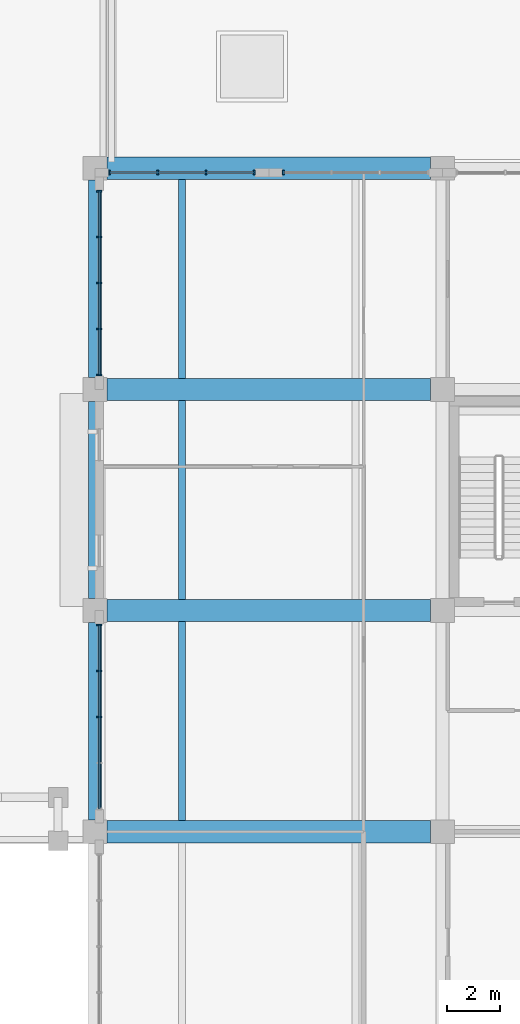
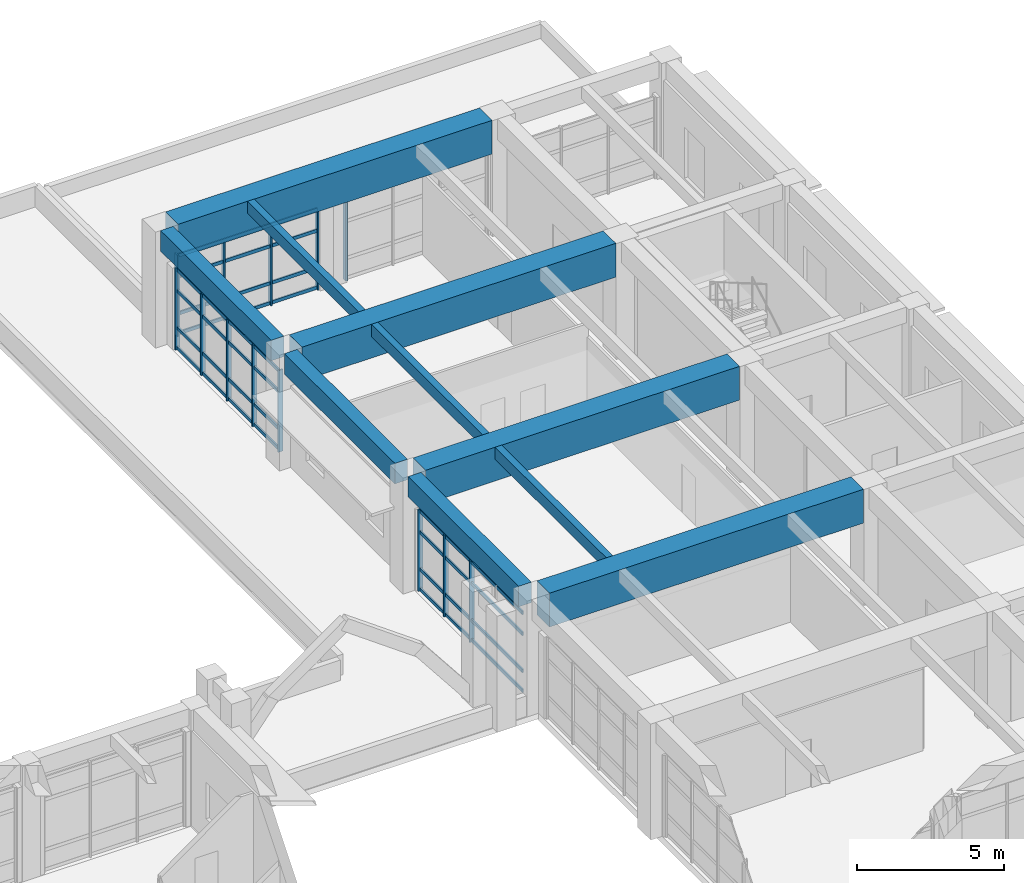
# One storey, part 24 of 75: 25 members, 10 beams, 4 elements without a shape of their own.
"""IFC4 building model written with IfcOpenShell, lengths in metres."""

import ifcopenshell
import ifcopenshell.guid

model = None  # the IFC model being written
_history = None  # IfcOwnerHistory: only IFC2X3 demands one
_inside = {}  # id of a spatial element -> (the spatial element, [elements in it])
_under = {}  # id of a project, library or spatial element -> (it, [spatial elements below it])
_declared = {}  # id of a project -> (the project, [libraries it declares])
_typed = {}  # id of a type object -> (the type object, [elements of that type])
_made_of = {}  # id of a material, layer set ... -> (it, [elements and type objects made of it])


def new_model(schema):
    """Start an empty IFC model of exactly this schema.

    Asked for "IFC4X3", IfcOpenShell would pick the latest addendum, in which some entities
    have other attributes; the version numbers below select the first issue.
    IFC2X3 requires an IfcOwnerHistory on every rooted entity: one is made here for all.
    """
    global model, _history
    if schema == "IFC4X3":
        model = ifcopenshell.file(schema_version=(4, 3, 0, 0))
    else:
        model = ifcopenshell.file(schema=schema)
    _inside.clear()
    _under.clear()
    _declared.clear()
    _typed.clear()
    _made_of.clear()
    _history = None
    if model.schema == "IFC2X3":
        org = make("IfcOrganization", Name="unknown")
        user = make(
            "IfcPersonAndOrganization",
            ThePerson=make("IfcPerson", FamilyName="unknown"),
            TheOrganization=org,
        )
        app = make(
            "IfcApplication",
            ApplicationDeveloper=org,
            Version="unknown",
            ApplicationFullName="unknown",
            ApplicationIdentifier="unknown",
        )
        _history = make(
            "IfcOwnerHistory",
            OwningUser=user,
            OwningApplication=app,
            ChangeAction="ADDED",
            CreationDate=0,
        )
    return model


def make(cls, **values):
    """One entity of the class cls with the attributes given. An attribute that is None is left unset."""
    return model.create_entity(
        cls, **{name: value for name, value in values.items() if value is not None}
    )


def rooted(cls, **values):
    """An entity with a GlobalId (a new one), such as an element, a storey or a relation."""
    return make(cls, GlobalId=ifcopenshell.guid.new(), OwnerHistory=_history, **values)


def si_unit(unit_type, name, prefix=None):
    """IfcSIUnit, for example si_unit("LENGTHUNIT", "METRE", prefix="MILLI")."""
    return make("IfcSIUnit", UnitType=unit_type, Prefix=prefix, Name=name)


def assignment(units):
    """IfcUnitAssignment: the units of a project."""
    return None if units is None else make("IfcUnitAssignment", Units=units)


def point(xyz):
    """IfcCartesianPoint."""
    return None if xyz is None else make("IfcCartesianPoint", Coordinates=xyz)


def direction(xyz):
    """IfcDirection."""
    return None if xyz is None else make("IfcDirection", DirectionRatios=xyz)


def frame(location, z_axis=None, x_axis=None):
    """IfcAxis2Placement3D, a coordinate frame: its origin and axes. An axis left out is left unset."""
    return make(
        "IfcAxis2Placement3D",
        Location=point(location),
        Axis=direction(z_axis),
        RefDirection=direction(x_axis),
    )


def frame_2d(location, x_axis=None):
    """IfcAxis2Placement2D, a coordinate frame in the plane: its origin and x axis."""
    return make(
        "IfcAxis2Placement2D", Location=point(location), RefDirection=direction(x_axis)
    )


def origin():
    """The frame at (0, 0, 0) with its axes left unset."""
    return frame((0.0, 0.0, 0.0))


def origin_2d():
    """The frame at (0, 0) in the plane with its x axis left unset."""
    return frame_2d((0.0, 0.0))


def place(relative_to, where):
    """IfcLocalPlacement: puts the frame where relative to a parent placement (None: the world)."""
    return make(
        "IfcLocalPlacement", PlacementRelTo=relative_to, RelativePlacement=where
    )


def context(
    kind, dimensions, precision=None, world=None, true_north=None, identifier=None
):
    """IfcGeometricRepresentationContext, for example the 3D "Model" context."""
    return make(
        "IfcGeometricRepresentationContext",
        ContextIdentifier=identifier,
        ContextType=kind,
        CoordinateSpaceDimension=dimensions,
        Precision=precision,
        WorldCoordinateSystem=world,
        TrueNorth=true_north,
    )


def subcontext(parent, identifier, kind, view, scale=None):
    """IfcGeometricRepresentationSubContext, for example "Body" below "Model"."""
    return make(
        "IfcGeometricRepresentationSubContext",
        ContextIdentifier=identifier,
        ContextType=kind,
        ParentContext=parent,
        TargetScale=scale,
        TargetView=view,
    )


def project(units=None, contexts=None):
    """IfcProject with its units and contexts."""
    return rooted(
        "IfcProject",
        Name="project",
        RepresentationContexts=contexts,
        UnitsInContext=assignment(units),
    )


def spatial(cls, under=None, at=None, **own):
    """A site, building, storey or space (cls), placed at a placement, below another one or the project."""
    s = rooted(cls, ObjectPlacement=at, **own)
    if under is not None:
        _under.setdefault(under.id(), (under, []))[1].append(s)
    return s


def profile(cls, at=None, kind="AREA", **sizes):
    """A parametric profile (cls). Its sizes go by their IFC names, for example OverallWidth=200.0."""
    return make(cls, ProfileType=kind, Position=at, **sizes)


def rectangle(**sizes):
    """IfcRectangleProfileDef."""
    return profile("IfcRectangleProfileDef", **sizes)


def extrude(swept, where, along, depth):
    """IfcExtrudedAreaSolid: the profile swept, set in the frame where, extruded along a direction by depth."""
    return make(
        "IfcExtrudedAreaSolid",
        SweptArea=swept,
        Position=where,
        ExtrudedDirection=direction(along),
        Depth=depth,
    )


def shape(context_of_items, identifier, shape_type, items):
    """IfcShapeRepresentation: the items that make up one representation, for example the "Body"."""
    return make(
        "IfcShapeRepresentation",
        ContextOfItems=context_of_items,
        RepresentationIdentifier=identifier,
        RepresentationType=shape_type,
        Items=items,
    )


def material(Name=None, Category=None):
    """IfcMaterial."""
    return make("IfcMaterial", Name=Name, Category=Category)


def layer(
    of_material, thickness, ventilated=None, Name=None, Category=None, Priority=None
):
    """IfcMaterialLayer: one layer of a wall or slab, of a material (None: an air gap)."""
    return make(
        "IfcMaterialLayer",
        Material=of_material,
        LayerThickness=thickness,
        IsVentilated=ventilated,
        Name=Name,
        Category=Category,
        Priority=Priority,
    )


def layer_set(layers, Name=None):
    """IfcMaterialLayerSet."""
    return make("IfcMaterialLayerSet", MaterialLayers=layers, LayerSetName=Name)


def material_profile(
    of_material, cross_section, Name=None, Category=None, Priority=None
):
    """IfcMaterialProfile: a cross section and its material."""
    return make(
        "IfcMaterialProfile",
        Name=Name,
        Material=of_material,
        Profile=cross_section,
        Priority=Priority,
        Category=Category,
    )


def profile_set(profiles, Name=None, composite=None):
    """IfcMaterialProfileSet."""
    return make(
        "IfcMaterialProfileSet",
        Name=Name,
        MaterialProfiles=profiles,
        CompositeProfile=composite,
    )


def made_of(thing, what):
    """Note that an element or type object is made of a material, layer set ...; save() writes the relation."""
    if what is not None:
        _made_of.setdefault(what.id(), (what, []))[1].append(thing)
    return thing


def type_object(cls, material=None, **own):
    """A type object (cls), such as IfcWallType, which elements share."""
    return made_of(rooted(cls, **own), material)


def element(
    cls,
    number,
    at=None,
    inside=None,
    cuts=None,
    type_object=None,
    material=None,
    context=None,
    identifier="Body",
    shape_type=None,
    held_by="IfcProductDefinitionShape",
    body=None,
    shapes=None,
    **own,
):
    """One element of the class cls, such as IfcWall. Its Tag is "e" and its number.

    at: its placement. inside: the storey or other place that contains it. cuts: it is an
    opening in that element (IfcRelVoidsElement). A single representation is given by context,
    identifier, shape_type and body (its items); several are given by shapes. held_by: the class
    of the entity that holds the representations. save() writes the other relations.
    """
    e = rooted(cls, Tag="e%d" % number, ObjectPlacement=at, **own)
    if body is not None:
        shapes = [shape(context, identifier, shape_type, body)]
    if shapes is not None:
        e.Representation = make(held_by, Representations=shapes)
    if inside is not None:
        _inside.setdefault(inside.id(), (inside, []))[1].append(e)
    if cuts is not None:
        rooted(
            "IfcRelVoidsElement", RelatingBuildingElement=cuts, RelatedOpeningElement=e
        )
    if type_object is not None:
        _typed.setdefault(type_object.id(), (type_object, []))[1].append(e)
    return made_of(e, material)


def aggregate(whole, parts):
    """IfcRelAggregates: a whole, such as a stair, and the parts it consists of."""
    return rooted("IfcRelAggregates", RelatingObject=whole, RelatedObjects=parts)


def save(model, path):
    """Write the relations noted so far, then the file.

    IfcRelAggregates (storeys below a building ...), IfcRelContainedInSpatialStructure (elements
    in a storey), IfcRelDefinesByType, IfcRelAssociatesMaterial and IfcRelDeclares: one each for
    every whole, place, type object, material and project.
    """
    for whole, parts in _under.values():
        aggregate(whole, parts)
    for where, things in _inside.values():
        rooted(
            "IfcRelContainedInSpatialStructure",
            RelatedElements=things,
            RelatingStructure=where,
        )
    for kind, things in _typed.values():
        rooted("IfcRelDefinesByType", RelatedObjects=things, RelatingType=kind)
    for what, things in _made_of.values():
        rooted("IfcRelAssociatesMaterial", RelatedObjects=things, RelatingMaterial=what)
    for by, libraries in _declared.values():
        rooted("IfcRelDeclares", RelatingContext=by, RelatedDefinitions=libraries)
    model.write(path)


model = new_model("IFC4")

# Units and contexts
model_context = context("Model", 3, precision=1e-05, world=origin(), true_north=direction((0.0, 1.0)))
body_context = subcontext(model_context, "Body", "Model", "MODEL_VIEW")
ifc_project = project(units=[si_unit("LENGTHUNIT", "METRE"), si_unit("AREAUNIT", "SQUARE_METRE"), si_unit("VOLUMEUNIT", "CUBIC_METRE"), si_unit("PLANEANGLEUNIT", "RADIAN"), si_unit("MASSUNIT", "GRAM", prefix="KILO")], contexts=[model_context])

# Site, building, storey
site_placement = place(None, origin())
site = spatial("IfcSite", under=ifc_project, at=site_placement, CompositionType="ELEMENT")
building_placement = place(site_placement, origin())
building = spatial("IfcBuilding", under=site, at=building_placement, Name="Kolvaren Faculty of Natural Sciences", CompositionType="ELEMENT")
storey_placement = place(building_placement, frame((0.0, 0.0, 5.39990234375)))
storey = spatial("IfcBuildingStorey", under=building, at=storey_placement, Name="L01", CompositionType="ELEMENT", Elevation=5.39990234375)

# Curtain wall, members
ifc_material_1 = material(Name="Thermally broken anodised aluminium framing", Category="aluminium")
ifc_layer = layer(ifc_material_1, 0.179931640625)
ifc_layer_set = layer_set([ifc_layer], Name="Thermally broken anodised aluminium framing")
curtain_wall_type = type_object("IfcCurtainWallType", Name="CommonsCurtainWall_CW02", PredefinedType="NOTDEFINED", material=ifc_layer_set)
curtain_wall_1_placement = place(storey_placement, origin())
curtain_wall_1 = element("IfcCurtainWall", 1, at=curtain_wall_1_placement, inside=storey, type_object=curtain_wall_type, Name="L01 unitised curtain wall CW-02 (CW-L01-035)", PredefinedType="NOTDEFINED")
ifc_material_profile_1 = material_profile(ifc_material_1, rectangle(XDim=0.06005859375, YDim=0.179931640625, at=origin_2d()), Name="ALU MUL 60x180")
ifc_profile_set_1 = profile_set([ifc_material_profile_1], Name="Thermally broken anodised aluminium framing")
member_type_1 = type_object("IfcMemberType", Name="CurtainMullion_60x180", PredefinedType="MULLION", material=ifc_profile_set_1)
member_1_placement = place(storey_placement, frame((119.159912109375, 88.56005859375, 0.0), z_axis=(0.0, 0.0, 1.0), x_axis=(0.0, 1.0, 0.0)))
member_1 = element("IfcMember", 2, at=member_1_placement, type_object=member_type_1, Name="CW-L01-035 vertical mullion 3", PredefinedType="MULLION", context=body_context, shape_type="SweptSolid", body=[
    extrude(rectangle(XDim=0.06005859375, YDim=0.179931640625, at=origin_2d()), origin(), (0.0, 0.0, 1.0), 3.385009765625),
])
member_2_placement = place(storey_placement, frame((119.159912109375, 90.304931640625, 0.0), z_axis=(0.0, 0.0, 1.0), x_axis=(0.0, 1.0, 0.0)))
member_2 = element("IfcMember", 3, at=member_2_placement, type_object=member_type_1, Name="CW-L01-035 vertical mullion 4", PredefinedType="MULLION", context=body_context, shape_type="SweptSolid", body=[
    extrude(rectangle(XDim=0.06005859375, YDim=0.179931640625, at=origin_2d()), origin(), (0.0, 0.0, 1.0), 3.385009765625),
])
member_3_placement = place(storey_placement, frame((119.159912109375, 92.050048828125, 0.0), z_axis=(0.0, 0.0, 1.0), x_axis=(0.0, 1.0, 0.0)))
member_3 = element("IfcMember", 4, at=member_3_placement, type_object=member_type_1, Name="CW-L01-035 vertical mullion 5", PredefinedType="MULLION", context=body_context, shape_type="SweptSolid", body=[
    extrude(rectangle(XDim=0.06005859375, YDim=0.179931640625, at=origin_2d()), origin(), (0.0, 0.0, 1.0), 3.385009765625),
])

curtain_wall_2_placement = place(storey_placement, origin())
curtain_wall_2 = element("IfcCurtainWall", 5, at=curtain_wall_2_placement, inside=storey, type_object=curtain_wall_type, Name="L01 unitised curtain wall CW-02 (CW-L01-036)", PredefinedType="NOTDEFINED")
member_4_placement = place(storey_placement, frame((119.159912109375, 101.550048828125, 0.0), z_axis=(0.0, 0.0, 1.0), x_axis=(0.0, 1.0, 0.0)))
member_4 = element("IfcMember", 6, at=member_4_placement, type_object=member_type_1, Name="CW-L01-036 vertical mullion 1", PredefinedType="MULLION", context=body_context, shape_type="SweptSolid", body=[
    extrude(rectangle(XDim=0.06005859375, YDim=0.179931640625, at=origin_2d()), origin(), (0.0, 0.0, 1.0), 3.385009765625),
])
member_5_placement = place(storey_placement, frame((119.159912109375, 103.294921875, 0.0), z_axis=(0.0, 0.0, 1.0), x_axis=(0.0, 1.0, 0.0)))
member_5 = element("IfcMember", 7, at=member_5_placement, type_object=member_type_1, Name="CW-L01-036 vertical mullion 2", PredefinedType="MULLION", context=body_context, shape_type="SweptSolid", body=[
    extrude(rectangle(XDim=0.06005859375, YDim=0.179931640625, at=origin_2d()), origin(), (0.0, 0.0, 1.0), 3.385009765625),
])
member_6_placement = place(storey_placement, frame((119.159912109375, 105.0400390625, 0.0), z_axis=(0.0, 0.0, 1.0), x_axis=(0.0, 1.0, 0.0)))
member_6 = element("IfcMember", 8, at=member_6_placement, type_object=member_type_1, Name="CW-L01-036 vertical mullion 3", PredefinedType="MULLION", context=body_context, shape_type="SweptSolid", body=[
    extrude(rectangle(XDim=0.06005859375, YDim=0.179931640625, at=origin_2d()), origin(), (0.0, 0.0, 1.0), 3.385009765625),
])
member_7_placement = place(storey_placement, frame((119.159912109375, 106.784912109375, 0.0), z_axis=(0.0, 0.0, 1.0), x_axis=(0.0, 1.0, 0.0)))
member_7 = element("IfcMember", 9, at=member_7_placement, type_object=member_type_1, Name="CW-L01-036 vertical mullion 4", PredefinedType="MULLION", context=body_context, shape_type="SweptSolid", body=[
    extrude(rectangle(XDim=0.06005859375, YDim=0.179931640625, at=origin_2d()), origin(), (0.0, 0.0, 1.0), 3.385009765625),
])
member_8_placement = place(storey_placement, frame((119.159912109375, 108.530029296875, 0.0), z_axis=(0.0, 0.0, 1.0), x_axis=(0.0, 1.0, 0.0)))
member_8 = element("IfcMember", 10, at=member_8_placement, type_object=member_type_1, Name="CW-L01-036 vertical mullion 5", PredefinedType="MULLION", context=body_context, shape_type="SweptSolid", body=[
    extrude(rectangle(XDim=0.06005859375, YDim=0.179931640625, at=origin_2d()), origin(), (0.0, 0.0, 1.0), 3.385009765625),
])

curtain_wall_3_placement = place(storey_placement, origin())
curtain_wall_3 = element("IfcCurtainWall", 11, at=curtain_wall_3_placement, inside=storey, type_object=curtain_wall_type, Name="L01 unitised curtain wall CW-02 (CW-L01-037)", PredefinedType="NOTDEFINED")
member_9_placement = place(storey_placement, frame((119.550048828125, 109.239990234375, 0.0), z_axis=(0.0, 0.0, 1.0), x_axis=(1.0, 0.0, 0.0)))
member_9 = element("IfcMember", 12, at=member_9_placement, type_object=member_type_1, Name="CW-L01-037 vertical mullion 1", PredefinedType="MULLION", context=body_context, shape_type="SweptSolid", body=[
    extrude(rectangle(XDim=0.06005859375, YDim=0.179931640625, at=origin_2d()), origin(), (0.0, 0.0, 1.0), 3.385009765625),
])
member_10_placement = place(storey_placement, frame((121.38330078125, 109.239990234375, 0.0), z_axis=(0.0, 0.0, 1.0), x_axis=(1.0, 0.0, 0.0)))
member_10 = element("IfcMember", 13, at=member_10_placement, type_object=member_type_1, Name="CW-L01-037 vertical mullion 2", PredefinedType="MULLION", context=body_context, shape_type="SweptSolid", body=[
    extrude(rectangle(XDim=0.06005859375, YDim=0.179931640625, at=origin_2d()), origin(), (0.0, 0.0, 1.0), 3.385009765625),
])
member_11_placement = place(storey_placement, frame((123.216796875, 109.239990234375, 0.0), z_axis=(0.0, 0.0, 1.0), x_axis=(1.0, 0.0, 0.0)))
member_11 = element("IfcMember", 14, at=member_11_placement, type_object=member_type_1, Name="CW-L01-037 vertical mullion 3", PredefinedType="MULLION", context=body_context, shape_type="SweptSolid", body=[
    extrude(rectangle(XDim=0.06005859375, YDim=0.179931640625, at=origin_2d()), origin(), (0.0, 0.0, 1.0), 3.385009765625),
])
member_12_placement = place(storey_placement, frame((125.050048828125, 109.239990234375, 0.0), z_axis=(0.0, 0.0, 1.0), x_axis=(1.0, 0.0, 0.0)))
member_12 = element("IfcMember", 15, at=member_12_placement, type_object=member_type_1, Name="CW-L01-037 vertical mullion 4", PredefinedType="MULLION", context=body_context, shape_type="SweptSolid", body=[
    extrude(rectangle(XDim=0.06005859375, YDim=0.179931640625, at=origin_2d()), origin(), (0.0, 0.0, 1.0), 3.385009765625),
])

# Curtain wall, member
curtain_wall_4_placement = place(storey_placement, origin())
curtain_wall_4 = element("IfcCurtainWall", 16, at=curtain_wall_4_placement, inside=storey, type_object=curtain_wall_type, Name="L01 unitised curtain wall CW-02 (CW-L01-038)", PredefinedType="NOTDEFINED")
member_13_placement = place(storey_placement, frame((126.14990234375, 109.239990234375, 0.0), z_axis=(0.0, 0.0, 1.0), x_axis=(1.0, 0.0, 0.0)))
member_13 = element("IfcMember", 17, at=member_13_placement, type_object=member_type_1, Name="CW-L01-038 vertical mullion 1", PredefinedType="MULLION", context=body_context, shape_type="SweptSolid", body=[
    extrude(rectangle(XDim=0.06005859375, YDim=0.179931640625, at=origin_2d()), origin(), (0.0, 0.0, 1.0), 3.385009765625),
])
aggregate(curtain_wall_4, [member_13])

# Member
ifc_material_profile_2 = material_profile(ifc_material_1, rectangle(XDim=0.06005859375, YDim=0.139892578125, at=origin_2d()), Name="ALU TRN 60x140")
ifc_profile_set_2 = profile_set([ifc_material_profile_2], Name="Thermally broken anodised aluminium framing")
member_type_2 = type_object("IfcMemberType", Name="CurtainTransom_60x140", PredefinedType="USERDEFINED", material=ifc_profile_set_2)
member_14_placement = place(storey_placement, frame((119.159912109375, 85.070068359375, 0.080078125), z_axis=(0.0, 1.0, 0.0), x_axis=(-1.0, 0.0, 0.0)))
member_14 = element("IfcMember", 18, at=member_14_placement, type_object=member_type_2, Name="CW-L01-035 horizontal transom 1", ObjectType="TRANSOM", PredefinedType="USERDEFINED", context=body_context, shape_type="SweptSolid", body=[
    extrude(rectangle(XDim=0.06005859375, YDim=0.139892578125, at=origin_2d()), origin(), (0.0, 0.0, 1.0), 6.97998046875),
])

member_15_placement = place(storey_placement, frame((119.159912109375, 85.070068359375, 0.900146484375), z_axis=(0.0, 1.0, 0.0), x_axis=(-1.0, 0.0, 0.0)))
member_15 = element("IfcMember", 19, at=member_15_placement, type_object=member_type_2, Name="CW-L01-035 horizontal transom 2", ObjectType="TRANSOM", PredefinedType="USERDEFINED", context=body_context, shape_type="SweptSolid", body=[
    extrude(rectangle(XDim=0.06005859375, YDim=0.139892578125, at=origin_2d()), origin(), (0.0, 0.0, 1.0), 6.97998046875),
])

member_16_placement = place(storey_placement, frame((119.159912109375, 85.070068359375, 2.43505859375), z_axis=(0.0, 1.0, 0.0), x_axis=(-1.0, 0.0, 0.0)))
member_16 = element("IfcMember", 20, at=member_16_placement, type_object=member_type_2, Name="CW-L01-035 horizontal transom 3", ObjectType="TRANSOM", PredefinedType="USERDEFINED", context=body_context, shape_type="SweptSolid", body=[
    extrude(rectangle(XDim=0.06005859375, YDim=0.139892578125, at=origin_2d()), origin(), (0.0, 0.0, 1.0), 6.97998046875),
])

member_17_placement = place(storey_placement, frame((119.159912109375, 85.070068359375, 3.30517578125), z_axis=(0.0, 1.0, 0.0), x_axis=(-1.0, 0.0, 0.0)))
member_17 = element("IfcMember", 21, at=member_17_placement, type_object=member_type_2, Name="CW-L01-035 horizontal transom 4", ObjectType="TRANSOM", PredefinedType="USERDEFINED", context=body_context, shape_type="SweptSolid", body=[
    extrude(rectangle(XDim=0.06005859375, YDim=0.139892578125, at=origin_2d()), origin(), (0.0, 0.0, 1.0), 6.97998046875),
])

aggregate(curtain_wall_1, [member_1, member_2, member_3, member_14, member_15, member_16, member_17])

member_18_placement = place(storey_placement, frame((119.159912109375, 101.550048828125, 0.080078125), z_axis=(0.0, 1.0, 0.0), x_axis=(-1.0, 0.0, 0.0)))
member_18 = element("IfcMember", 22, at=member_18_placement, type_object=member_type_2, Name="CW-L01-036 horizontal transom 1", ObjectType="TRANSOM", PredefinedType="USERDEFINED", context=body_context, shape_type="SweptSolid", body=[
    extrude(rectangle(XDim=0.06005859375, YDim=0.139892578125, at=origin_2d()), origin(), (0.0, 0.0, 1.0), 6.97998046875),
])

member_19_placement = place(storey_placement, frame((119.159912109375, 101.550048828125, 0.900146484375), z_axis=(0.0, 1.0, 0.0), x_axis=(-1.0, 0.0, 0.0)))
member_19 = element("IfcMember", 23, at=member_19_placement, type_object=member_type_2, Name="CW-L01-036 horizontal transom 2", ObjectType="TRANSOM", PredefinedType="USERDEFINED", context=body_context, shape_type="SweptSolid", body=[
    extrude(rectangle(XDim=0.06005859375, YDim=0.139892578125, at=origin_2d()), origin(), (0.0, 0.0, 1.0), 6.97998046875),
])

member_20_placement = place(storey_placement, frame((119.159912109375, 101.550048828125, 2.43505859375), z_axis=(0.0, 1.0, 0.0), x_axis=(-1.0, 0.0, 0.0)))
member_20 = element("IfcMember", 24, at=member_20_placement, type_object=member_type_2, Name="CW-L01-036 horizontal transom 3", ObjectType="TRANSOM", PredefinedType="USERDEFINED", context=body_context, shape_type="SweptSolid", body=[
    extrude(rectangle(XDim=0.06005859375, YDim=0.139892578125, at=origin_2d()), origin(), (0.0, 0.0, 1.0), 6.97998046875),
])

member_21_placement = place(storey_placement, frame((119.159912109375, 101.550048828125, 3.30517578125), z_axis=(0.0, 1.0, 0.0), x_axis=(-1.0, 0.0, 0.0)))
member_21 = element("IfcMember", 25, at=member_21_placement, type_object=member_type_2, Name="CW-L01-036 horizontal transom 4", ObjectType="TRANSOM", PredefinedType="USERDEFINED", context=body_context, shape_type="SweptSolid", body=[
    extrude(rectangle(XDim=0.06005859375, YDim=0.139892578125, at=origin_2d()), origin(), (0.0, 0.0, 1.0), 6.97998046875),
])

aggregate(curtain_wall_2, [member_4, member_5, member_6, member_7, member_8, member_18, member_19, member_20, member_21])

member_22_placement = place(storey_placement, frame((119.550048828125, 109.239990234375, 0.080078125), z_axis=(1.0, 0.0, 0.0), x_axis=(0.0, 1.0, 0.0)))
member_22 = element("IfcMember", 26, at=member_22_placement, type_object=member_type_2, Name="CW-L01-037 horizontal transom 1", ObjectType="TRANSOM", PredefinedType="USERDEFINED", context=body_context, shape_type="SweptSolid", body=[
    extrude(rectangle(XDim=0.06005859375, YDim=0.139892578125, at=origin_2d()), origin(), (0.0, 0.0, 1.0), 5.5),
])

member_23_placement = place(storey_placement, frame((119.550048828125, 109.239990234375, 0.900146484375), z_axis=(1.0, 0.0, 0.0), x_axis=(0.0, 1.0, 0.0)))
member_23 = element("IfcMember", 27, at=member_23_placement, type_object=member_type_2, Name="CW-L01-037 horizontal transom 2", ObjectType="TRANSOM", PredefinedType="USERDEFINED", context=body_context, shape_type="SweptSolid", body=[
    extrude(rectangle(XDim=0.06005859375, YDim=0.139892578125, at=origin_2d()), origin(), (0.0, 0.0, 1.0), 5.5),
])

member_24_placement = place(storey_placement, frame((119.550048828125, 109.239990234375, 2.43505859375), z_axis=(1.0, 0.0, 0.0), x_axis=(0.0, 1.0, 0.0)))
member_24 = element("IfcMember", 28, at=member_24_placement, type_object=member_type_2, Name="CW-L01-037 horizontal transom 3", ObjectType="TRANSOM", PredefinedType="USERDEFINED", context=body_context, shape_type="SweptSolid", body=[
    extrude(rectangle(XDim=0.06005859375, YDim=0.139892578125, at=origin_2d()), origin(), (0.0, 0.0, 1.0), 5.5),
])

member_25_placement = place(storey_placement, frame((119.550048828125, 109.239990234375, 3.30517578125), z_axis=(1.0, 0.0, 0.0), x_axis=(0.0, 1.0, 0.0)))
member_25 = element("IfcMember", 29, at=member_25_placement, type_object=member_type_2, Name="CW-L01-037 horizontal transom 4", ObjectType="TRANSOM", PredefinedType="USERDEFINED", context=body_context, shape_type="SweptSolid", body=[
    extrude(rectangle(XDim=0.06005859375, YDim=0.139892578125, at=origin_2d()), origin(), (0.0, 0.0, 1.0), 5.5),
])

aggregate(curtain_wall_3, [member_9, member_10, member_11, member_12, member_22, member_23, member_24, member_25])

# Beams
ifc_material_2 = material(Name="Concrete C35/45", Category="concrete")
ifc_material_profile_3 = material_profile(ifc_material_2, rectangle(XDim=0.260009765625, YDim=0.5, at=origin_2d()), Name="RC JST 260x500")
ifc_profile_set_3 = profile_set([ifc_material_profile_3], Name="Concrete C35/45")
beam_type_1 = type_object("IfcBeamType", Name="LabRibJoist_260x500", PredefinedType="JOIST", material=ifc_profile_set_3)
for number, where, z_axis, x_axis, name in (
    (30, (122.300048828125, 84.625, 4.550048828125), (0.0, 1.0, 0.0), (-1.0, 0.0, 0.0), "L01 ribbed laboratory slab joist JS-50"),
    (31, (122.300048828125, 93.02490234375, 4.550048828125), (0.0, 1.0, 0.0), (-1.0, 0.0, 0.0), "L01 ribbed laboratory slab joist JS-50"),
    (32, (122.300048828125, 101.425048828125, 4.550048828125), (0.0, 1.0, 0.0), (-1.0, 0.0, 0.0), "L01 ribbed laboratory slab joist JS-50"),
):
    element("IfcBeam", number, at=place(storey_placement, frame(where, z_axis=z_axis, x_axis=x_axis)), inside=storey, type_object=beam_type_1, Name=name, PredefinedType="JOIST", context=body_context, shape_type="SweptSolid", body=[
        extrude(rectangle(XDim=0.260009765625, YDim=0.5, at=origin_2d()), origin(), (0.0, 0.0, 1.0), 7.550048828125),
    ])
ifc_material_profile_4 = material_profile(ifc_material_2, rectangle(XDim=0.5, YDim=0.85009765625, at=origin_2d()), Name="RC BM 500x850")
ifc_profile_set_4 = profile_set([ifc_material_profile_4], Name="Concrete C35/45")
beam_type_2 = type_object("IfcBeamType", Name="PrimaryGirder_500x850", PredefinedType="BEAM", material=ifc_profile_set_4)
for number, where, z_axis, x_axis, name in (
    (33, (119.0, 84.64990234375, 4.375), (0.0, 1.0, 0.0), (-1.0, 0.0, 0.0), "L01 girder BG-85 on grid 19"),
    (34, (119.0, 93.050048828125, 4.375), (0.0, 1.0, 0.0), (-1.0, 0.0, 0.0), "L01 girder BG-85 on grid 19"),
    (35, (119.0, 101.449951171875, 4.375), (0.0, 1.0, 0.0), (-1.0, 0.0, 0.0), "L01 girder BG-85 on grid 19"),
):
    element("IfcBeam", number, at=place(storey_placement, frame(where, z_axis=z_axis, x_axis=x_axis)), inside=storey, type_object=beam_type_2, Name=name, PredefinedType="BEAM", context=body_context, shape_type="SweptSolid", body=[
        extrude(rectangle(XDim=0.5, YDim=0.85009765625, at=origin_2d()), origin(), (0.0, 0.0, 1.0), 7.5),
    ])
ifc_material_3 = material(Name="Concrete C40/50", Category="concrete")
ifc_material_profile_5 = material_profile(ifc_material_3, rectangle(XDim=0.85009765625, YDim=1.39990234375, at=origin_2d()), Name="RC TG 850x1400")
ifc_profile_set_5 = profile_set([ifc_material_profile_5], Name="Concrete C40/50")
beam_type_3 = type_object("IfcBeamType", Name="TransferGirder_850x1400", PredefinedType="BEAM", material=ifc_profile_set_5)
for number, where, z_axis, x_axis, name in (
    (36, (119.449951171875, 84.199951171875, 4.10009765625), (1.0, 0.0, 0.0), (0.0, 1.0, 0.0), "L02 reinforced concrete transfer girder TG-1 TG-V2-E.2"),
    (37, (119.449951171875, 92.60009765625, 4.10009765625), (1.0, 0.0, 0.0), (0.0, 1.0, 0.0), "L02 reinforced concrete transfer girder TG-1 TG-V2-E.3"),
    (38, (119.449951171875, 101.0, 4.10009765625), (1.0, 0.0, 0.0), (0.0, 1.0, 0.0), "L02 reinforced concrete transfer girder TG-1 TG-V2-E.4"),
    (39, (119.449951171875, 109.39990234375, 4.10009765625), (1.0, 0.0, 0.0), (0.0, 1.0, 0.0), "L02 reinforced concrete transfer girder TG-1 TG-V2-E.5"),
):
    element("IfcBeam", number, at=place(storey_placement, frame(where, z_axis=z_axis, x_axis=x_axis)), inside=storey, type_object=beam_type_3, Name=name, PredefinedType="BEAM", context=body_context, shape_type="SweptSolid", body=[
        extrude(rectangle(XDim=0.85009765625, YDim=1.39990234375, at=origin_2d()), origin(), (0.0, 0.0, 1.0), 12.300048828125),
    ])

save(model, "model.ifc")
